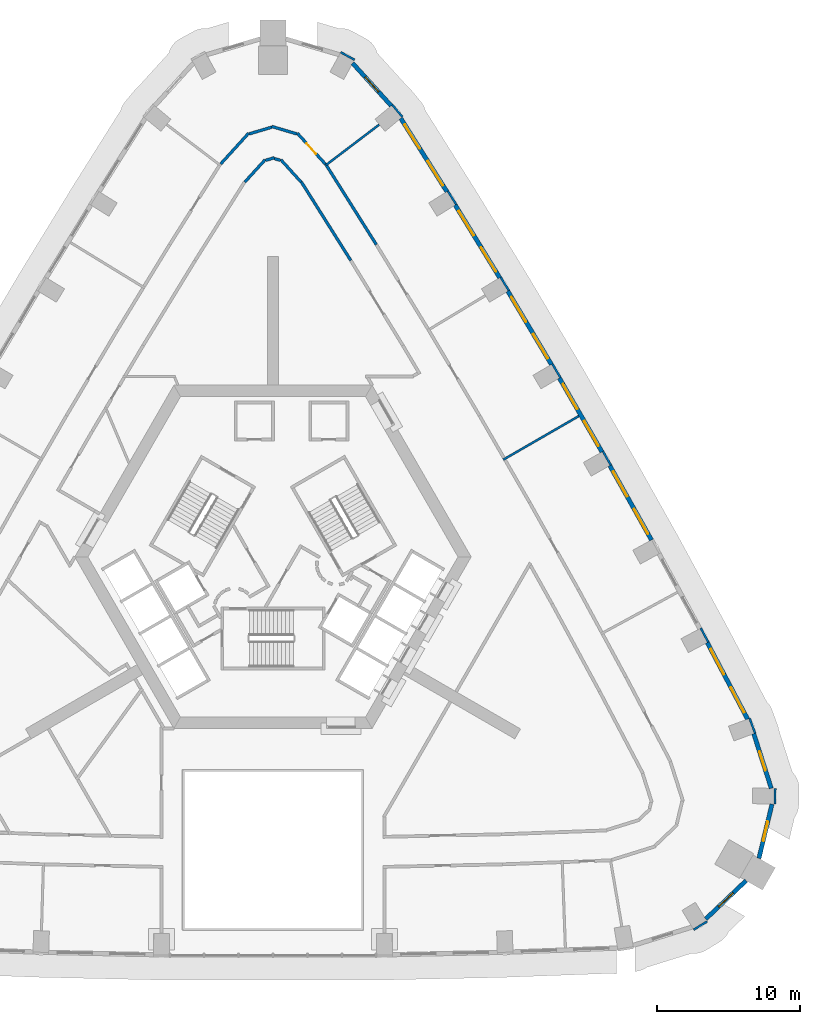
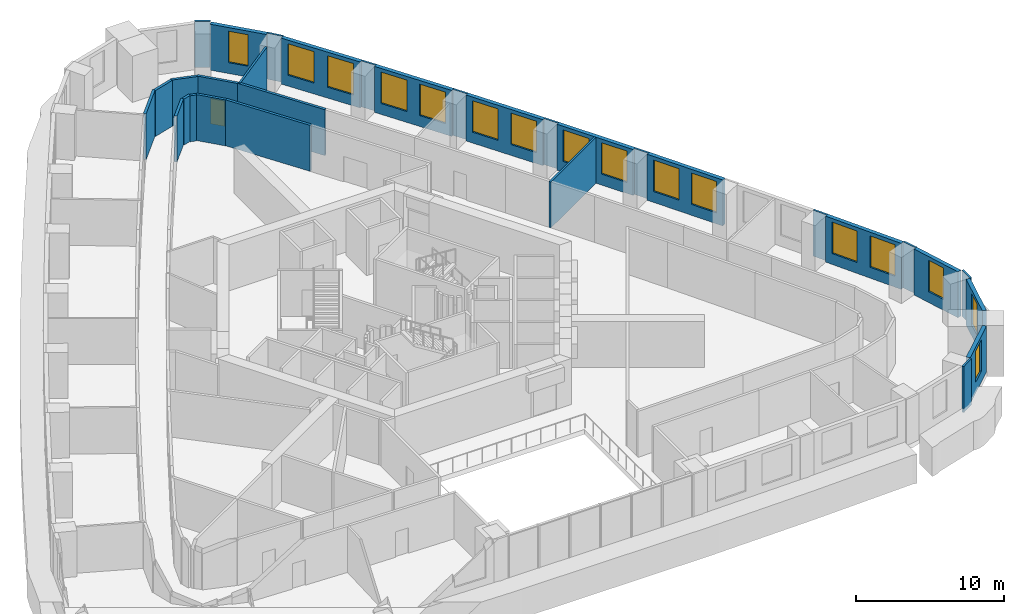
# One storey, part 10 of 17: 32 walls, 16 windows, 1 door, 17 openings.
"""IFC4 building model written with IfcOpenShell, lengths in metres."""

from ifc_helpers import new_model, si_unit, direction, frame, frame_2d, origin, place, context, subcontext, project, spatial, rectangle, extrude, material, layer, layer_set, type_object, element, fill, save


model = new_model("IFC4")

# Units and contexts
model_context = context("Model", 3, precision=1e-05, world=origin(), true_north=direction((0.0, 1.0)))
body_context = subcontext(model_context, "Body", "Model", "MODEL_VIEW")
ifc_project = project(units=[si_unit("LENGTHUNIT", "METRE"), si_unit("AREAUNIT", "SQUARE_METRE"), si_unit("VOLUMEUNIT", "CUBIC_METRE"), si_unit("PLANEANGLEUNIT", "RADIAN"), si_unit("MASSUNIT", "GRAM", prefix="KILO")], contexts=[model_context])

# Site, building, storey
site_placement = place(None, origin())
site = spatial("IfcSite", under=ifc_project, at=site_placement, CompositionType="ELEMENT")
building_placement = place(site_placement, origin())
building = spatial("IfcBuilding", under=site, at=building_placement, Name="Entoto Arch Interchange Tower", CompositionType="ELEMENT")
storey_placement = place(building_placement, frame((0.0, 0.0, 167.60009765625)))
storey = spatial("IfcBuildingStorey", under=building, at=storey_placement, Name="L37", CompositionType="ELEMENT", Elevation=167.60009765625)

# Walls
ifc_material_1 = material(Name="Gypsum board partition on steel studs", Category="steel")
ifc_layer_1 = layer(ifc_material_1, 0.14990234375)
ifc_layer_set_1 = layer_set([ifc_layer_1], Name="Gypsum board partition on steel studs")
wall_type_1 = type_object("IfcWallType", Name="PARTITION 150", PredefinedType="PARTITIONING", material=ifc_layer_set_1)
wall_1_placement = place(storey_placement, frame((16.097900390625, 9.294921875, 0.0), z_axis=(0.0, 0.0, 1.0), x_axis=(0.866109615698, 0.499854112313, 0.0)))
element("IfcWall", 1, at=wall_1_placement, inside=storey, type_object=wall_type_1, Name="wall:L37:p137", PredefinedType="PARTITIONING", context=body_context, shape_type="SweptSolid", body=[
    extrude(rectangle(XDim=6.099853515625, YDim=0.14990234375, at=frame_2d((3.0498046875, 0.0))), origin(), (0.0, 0.0, 1.0), 3.7998046875),
])
wall_2_placement = place(storey_placement, frame((3.716064453125, 29.89892578125, 0.0), z_axis=(0.0, 0.0, 1.0), x_axis=(0.796435085709, 0.604724031481, 0.0)))
element("IfcWall", 2, at=wall_2_placement, inside=storey, type_object=wall_type_1, Name="wall:L37:p139", PredefinedType="PARTITIONING", context=body_context, shape_type="SweptSolid", body=[
    extrude(rectangle(XDim=4.6533203125, YDim=0.14990234375, at=frame_2d((2.32666015625, 0.0))), origin(), (0.0, 0.0, 1.0), 3.7998046875),
])
ifc_layer_2 = layer(ifc_material_1, 0.199951171875)
ifc_layer_set_2 = layer_set([ifc_layer_2], Name="Gypsum board partition on steel studs")
wall_type_2 = type_object("IfcWallType", Name="PARTITION 200", PredefinedType="PARTITIONING", material=ifc_layer_set_2)
wall_3_placement = place(storey_placement, frame((5.44091796875, 23.218017578125, 0.0), z_axis=(0.0, 0.0, 1.0), x_axis=(-0.532786324951, 0.846249804694, 0.0)))
element("IfcWall", 3, at=wall_3_placement, inside=storey, type_object=wall_type_2, Name="wall:L37:p010", PredefinedType="PARTITIONING", context=body_context, shape_type="SweptSolid", body=[
    extrude(rectangle(XDim=6.488525390625, YDim=0.199951171875, at=frame_2d((3.244140625, 0.0))), origin(), (0.0, 0.0, 1.0), 3.7998046875),
])
wall_4_placement = place(storey_placement, frame((1.969970703125, 28.697998046875, 0.0), z_axis=(0.0, 0.0, 1.0), x_axis=(-0.671753081184, 0.740775133168, 0.0)))
element("IfcWall", 4, at=wall_4_placement, inside=storey, type_object=wall_type_2, Name="wall:L37:p011", PredefinedType="PARTITIONING", context=body_context, shape_type="SweptSolid", body=[
    extrude(rectangle(XDim=2.115234375, YDim=0.199951171875, at=frame_2d((1.0576171875, 0.0))), origin(), (0.0, 0.0, 1.0), 3.7998046875),
])
wall_5_placement = place(storey_placement, frame((0.52001953125, 30.218994140625, 0.0), z_axis=(0.0, 0.0, 1.0), x_axis=(-0.959198261843, 0.282734317826, 0.0)))
element("IfcWall", 5, at=wall_5_placement, inside=storey, type_object=wall_type_2, Name="wall:L37:p012", PredefinedType="PARTITIONING", context=body_context, shape_type="SweptSolid", body=[
    extrude(rectangle(XDim=0.442138671875, YDim=0.199951171875, at=frame_2d((0.22119140625, 0.0))), origin(), (0.0, 0.0, 1.0), 3.7998046875),
])
wall_6_placement = place(storey_placement, frame((0.095947265625, 30.40087890625, 0.0), z_axis=(0.0, 0.0, 1.0), x_axis=(-0.959062300239, -0.283195169908, 0.0)))
element("IfcWall", 6, at=wall_6_placement, inside=storey, type_object=wall_type_2, Name="wall:L37:p013", PredefinedType="PARTITIONING", context=body_context, shape_type="SweptSolid", body=[
    extrude(rectangle(XDim=0.642333984375, YDim=0.199951171875, at=frame_2d((0.3212890625, 0.0))), origin(), (0.0, 0.0, 1.0), 3.7998046875),
])
wall_7_placement = place(storey_placement, frame((-0.549072265625, 30.264892578125, 0.0), z_axis=(0.0, 0.0, 1.0), x_axis=(-0.671753081184, -0.740775133168, 0.0)))
element("IfcWall", 7, at=wall_7_placement, inside=storey, type_object=wall_type_2, Name="wall:L37:p014", PredefinedType="PARTITIONING", context=body_context, shape_type="SweptSolid", body=[
    extrude(rectangle(XDim=2.115234375, YDim=0.199951171875, at=frame_2d((1.0576171875, 0.0))), origin(), (0.0, 0.0, 1.0), 3.7998046875),
])
wall_8_placement = place(storey_placement, frame((3.6630859375, 29.98388671875, 0.0), z_axis=(0.0, 0.0, 1.0), x_axis=(0.532874279134, -0.846194423662, 0.0)))
element("IfcWall", 8, at=wall_8_placement, inside=storey, type_object=wall_type_2, Name="wall:L37:p057", PredefinedType="PARTITIONING", context=body_context, shape_type="SweptSolid", body=[
    extrude(rectangle(XDim=6.686279296875, YDim=0.199951171875, at=frame_2d((3.34326171875, 0.0))), origin(), (0.0, 0.0, 1.0), 3.7998046875),
])
wall_9_placement = place(storey_placement, frame((-1.678955078125, 32.06591796875, 0.0), z_axis=(0.0, 0.0, 1.0), x_axis=(0.958966543129, 0.283519257122, 0.0)))
element("IfcWall", 9, at=wall_9_placement, inside=storey, type_object=wall_type_2, Name="wall:L37:p059", PredefinedType="PARTITIONING", context=body_context, shape_type="SweptSolid", body=[
    extrude(rectangle(XDim=1.650634765625, YDim=0.199951171875, at=frame_2d((0.8251953125, 0.0))), origin(), (0.0, 0.0, 1.0), 3.7998046875),
])
wall_10_placement = place(storey_placement, frame((-0.095947265625, 32.590087890625, 0.0), z_axis=(0.0, 0.0, 1.0), x_axis=(0.959051918564, -0.283230325881, 0.0)))
element("IfcWall", 10, at=wall_10_placement, inside=storey, type_object=wall_type_2, Name="wall:L37:p060", PredefinedType="PARTITIONING", context=body_context, shape_type="SweptSolid", body=[
    extrude(rectangle(XDim=1.8505859375, YDim=0.199951171875, at=frame_2d((0.92529296875, 0.0))), origin(), (0.0, 0.0, 1.0), 3.7998046875),
])

# Wall, opening, door
wall_11_placement = place(storey_placement, frame((1.7080078125, 32.112060546875, 0.0), z_axis=(0.0, 0.0, 1.0), x_axis=(0.671957285765, -0.740589904135, 0.0)))
wall_11 = element("IfcWall", 11, at=wall_11_placement, inside=storey, type_object=wall_type_2, Name="wall:L37:p061", PredefinedType="PARTITIONING", context=body_context, shape_type="SweptSolid", body=[
    extrude(rectangle(XDim=2.888427734375, YDim=0.199951171875, at=frame_2d((1.4443359375, 0.0))), origin(), (0.0, 0.0, 1.0), 3.7998046875),
])
opening_1_placement = place(wall_11_placement, frame((0.944091796875, 0.0, 0.0)))
opening_1 = element("IfcOpeningElement", 12, at=opening_1_placement, cuts=wall_11, Name="Opening L37-D07", PredefinedType="OPENING", context=body_context, shape_type="SweptSolid", body=[
    extrude(rectangle(XDim=1.0, YDim=2.10009765625, at=frame_2d((0.5, 1.050048828125))), frame((0.0, 0.10986328125, 0.0), z_axis=(0.0, -1.0, 0.0), x_axis=(1.0, 0.0, 0.0)), (0.0, 0.0, 1.0), 0.219970703125),
])
ifc_material_2 = material(Name="Timber door leaf in Steel S235 frame", Category="steel")
door_type = type_object("IfcDoorType", Name="DOOR DS-10 1000x2100", OperationType="SINGLE_SWING_LEFT", PredefinedType="DOOR", material=ifc_material_2)
door_placement = place(opening_1_placement, origin())
door = element("IfcDoor", 13, at=door_placement, inside=storey, type_object=door_type, Name="door:L37:07", OperationType="SINGLE_SWING_LEFT", OverallHeight=2.10009765625, OverallWidth=1.0, PredefinedType="DOOR", context=body_context, shape_type="SweptSolid", body=[
    extrude(rectangle(XDim=1.0, YDim=2.10009765625, at=frame_2d((0.5, 1.050048828125))), frame((0.0, 0.02490234375, 0.0), z_axis=(0.0, -1.0, 0.0), x_axis=(1.0, 0.0, 0.0)), (0.0, 0.0, 1.0), 0.050048828125),
])
fill(opening_1, door)

# Wall
wall_12_placement = place(storey_placement, frame((-3.64892578125, 29.972900390625, 0.0), z_axis=(0.0, 0.0, 1.0), x_axis=(0.671957285765, 0.740589904135, 0.0)))
element("IfcWall", 14, at=wall_12_placement, inside=storey, type_object=wall_type_2, Name="wall:L37:p062", PredefinedType="PARTITIONING", context=body_context, shape_type="SweptSolid", body=[
    extrude(rectangle(XDim=2.888427734375, YDim=0.199951171875, at=frame_2d((1.4443359375, 0.0))), origin(), (0.0, 0.0, 1.0), 3.7998046875),
])

# Wall, opening, window
ifc_material_3 = material(Name="Welded tuff (ignimbrite) cladding, warm buff", Category="masonry")
ifc_layer_3 = layer(ifc_material_3, 0.300048828125)
ifc_layer_set_3 = layer_set([ifc_layer_3], Name="Welded tuff (ignimbrite) cladding, warm buff")
wall_type_3 = type_object("IfcWallType", Name="STONE INFILL WALL 300", PredefinedType="STANDARD", material=ifc_layer_set_3)
wall_13_placement = place(storey_placement, frame((30.24609375, -22.821044921875, 0.0), z_axis=(0.0, 0.0, 1.0), x_axis=(0.724807239831, 0.688951714628, 0.0)))
wall_13 = element("IfcWall", 15, at=wall_13_placement, inside=storey, type_object=wall_type_3, Name="Facade wall SE-02 L37", PredefinedType="STANDARD", context=body_context, shape_type="SweptSolid", body=[
    extrude(rectangle(XDim=3.901611328125, YDim=0.300048828125, at=frame_2d((1.95068359375, 0.0))), origin(), (0.0, 0.0, 1.0), 3.7998046875),
])
opening_2_placement = place(wall_13_placement, frame((1.2509765625, 0.0, 0.89990234375)))
opening_2 = element("IfcOpeningElement", 16, at=opening_2_placement, cuts=wall_13, Name="Opening WO-B", PredefinedType="OPENING", context=body_context, shape_type="SweptSolid", body=[
    extrude(rectangle(XDim=1.39990234375, YDim=2.60009765625, at=frame_2d((0.699951171875, 1.300048828125))), frame((0.0, 0.16015625, 0.0), z_axis=(0.0, -1.0, 0.0), x_axis=(1.0, 0.0, 0.0)), (0.0, 0.0, 1.0), 0.320068359375),
])
ifc_material_4 = material(Name="Clear glass, low-e double glazed", Category="glass")
window_type_1 = type_object("IfcWindowType", Name="WINDOW WO-B 1400x2600", PartitioningType="DOUBLE_PANEL_VERTICAL", PredefinedType="WINDOW", material=ifc_material_4)
window_1_placement = place(opening_2_placement, origin())
window_1 = element("IfcWindow", 17, at=window_1_placement, inside=storey, type_object=window_type_1, Name="Window WO-B SE-02 L37", OverallHeight=2.60009765625, OverallWidth=1.39990234375, PartitioningType="SINGLE_PANEL", PredefinedType="WINDOW", context=body_context, shape_type="SweptSolid", body=[
    extrude(rectangle(XDim=1.39990234375, YDim=2.60009765625, at=frame_2d((0.699951171875, 1.300048828125))), frame((0.0, 0.030029296875, 0.0), z_axis=(0.0, -1.0, 0.0), x_axis=(1.0, 0.0, 0.0)), (0.0, 0.0, 1.0), 0.06005859375),
])
fill(opening_2, window_1)

wall_14_placement = place(storey_placement, frame((33.972900390625, -18.574951171875, 0.0), z_axis=(0.0, 0.0, 1.0), x_axis=(0.234102046927, 0.972212030179, 0.0)))
wall_14 = element("IfcWall", 18, at=wall_14_placement, inside=storey, type_object=wall_type_3, Name="Facade wall SE-03 L37", PredefinedType="STANDARD", context=body_context, shape_type="SweptSolid", body=[
    extrude(rectangle(XDim=3.900390625, YDim=0.300048828125, at=frame_2d((1.9501953125, 0.0))), origin(), (0.0, 0.0, 1.0), 3.7998046875),
])
opening_3_placement = place(wall_14_placement, frame((1.25, 0.0, 0.89990234375)))
opening_3 = element("IfcOpeningElement", 19, at=opening_3_placement, cuts=wall_14, Name="Opening WO-B", PredefinedType="OPENING", context=body_context, shape_type="SweptSolid", body=[
    extrude(rectangle(XDim=1.39990234375, YDim=2.60009765625, at=frame_2d((0.699951171875, 1.300048828125))), frame((0.0, 0.16015625, 0.0), z_axis=(0.0, -1.0, 0.0), x_axis=(1.0, 0.0, 0.0)), (0.0, 0.0, 1.0), 0.320068359375),
])
window_2_placement = place(opening_3_placement, origin())
window_2 = element("IfcWindow", 20, at=window_2_placement, inside=storey, type_object=window_type_1, Name="Window WO-B SE-03 L37", OverallHeight=2.60009765625, OverallWidth=1.39990234375, PartitioningType="SINGLE_PANEL", PredefinedType="WINDOW", context=body_context, shape_type="SweptSolid", body=[
    extrude(rectangle(XDim=1.39990234375, YDim=2.60009765625, at=frame_2d((0.699951171875, 1.300048828125))), frame((0.0, 0.030029296875, 0.0), z_axis=(0.0, -1.0, 0.0), x_axis=(1.0, 0.0, 0.0)), (0.0, 0.0, 1.0), 0.06005859375),
])
fill(opening_3, window_2)

wall_15_placement = place(storey_placement, frame((34.8349609375, -13.68408203125, 0.0), z_axis=(0.0, 0.0, 1.0), x_axis=(-0.305018133869, 0.952346543025, 0.0)))
wall_15 = element("IfcWall", 21, at=wall_15_placement, inside=storey, type_object=wall_type_3, Name="Facade wall SE-04 L37", PredefinedType="STANDARD", context=body_context, shape_type="SweptSolid", body=[
    extrude(rectangle(XDim=4.019775390625, YDim=0.300048828125, at=frame_2d((2.009765625, 0.0))), origin(), (0.0, 0.0, 1.0), 3.7998046875),
])
opening_4_placement = place(wall_15_placement, frame((1.31005859375, 0.0, 0.89990234375)))
opening_4 = element("IfcOpeningElement", 22, at=opening_4_placement, cuts=wall_15, Name="Opening WO-B", PredefinedType="OPENING", context=body_context, shape_type="SweptSolid", body=[
    extrude(rectangle(XDim=1.39990234375, YDim=2.60009765625, at=frame_2d((0.699951171875, 1.300048828125))), frame((0.0, 0.16015625, 0.0), z_axis=(0.0, -1.0, 0.0), x_axis=(1.0, 0.0, 0.0)), (0.0, 0.0, 1.0), 0.320068359375),
])
window_3_placement = place(opening_4_placement, origin())
window_3 = element("IfcWindow", 23, at=window_3_placement, inside=storey, type_object=window_type_1, Name="Window WO-B SE-04 L37", OverallHeight=2.60009765625, OverallWidth=1.39990234375, PartitioningType="SINGLE_PANEL", PredefinedType="WINDOW", context=body_context, shape_type="SweptSolid", body=[
    extrude(rectangle(XDim=1.39990234375, YDim=2.60009765625, at=frame_2d((0.699951171875, 1.300048828125))), frame((0.0, 0.030029296875, 0.0), z_axis=(0.0, -1.0, 0.0), x_axis=(1.0, 0.0, 0.0)), (0.0, 0.0, 1.0), 0.06005859375),
])
fill(opening_4, window_3)

# Wall, openings, windows
wall_16_placement = place(storey_placement, frame((33.181884765625, -8.843994140625, 0.0), z_axis=(0.0, 0.0, 1.0), x_axis=(-0.466399410196, 0.884574242316, 0.0)))
wall_16 = element("IfcWall", 24, at=wall_16_placement, inside=storey, type_object=wall_type_3, Name="Facade wall NE-01 L37", PredefinedType="STANDARD", context=body_context, shape_type="SweptSolid", body=[
    extrude(rectangle(XDim=6.054931640625, YDim=0.300048828125, at=frame_2d((3.02734375, 0.0))), origin(), (0.0, 0.0, 1.0), 3.7998046875),
])
opening_5_placement = place(wall_16_placement, frame((0.513916015625, 0.0, 0.89990234375)))
opening_5 = element("IfcOpeningElement", 25, at=opening_5_placement, cuts=wall_16, Name="Opening WO-C", PredefinedType="OPENING", context=body_context, shape_type="SweptSolid", body=[
    extrude(rectangle(XDim=2.0, YDim=2.60009765625, at=frame_2d((1.0, 1.300048828125))), frame((0.0, 0.16015625, 0.0), z_axis=(0.0, -1.0, 0.0), x_axis=(1.0, 0.0, 0.0)), (0.0, 0.0, 1.0), 0.320068359375),
])
opening_6_placement = place(wall_16_placement, frame((3.541015625, 0.0, 0.89990234375)))
opening_6 = element("IfcOpeningElement", 26, at=opening_6_placement, cuts=wall_16, Name="Opening WO-C", PredefinedType="OPENING", context=body_context, shape_type="SweptSolid", body=[
    extrude(rectangle(XDim=2.0, YDim=2.60009765625, at=frame_2d((1.0, 1.300048828125))), frame((0.0, 0.16015625, 0.0), z_axis=(0.0, -1.0, 0.0), x_axis=(1.0, 0.0, 0.0)), (0.0, 0.0, 1.0), 0.320068359375),
])
window_type_2 = type_object("IfcWindowType", Name="WINDOW WO-C 2000x2600", PartitioningType="DOUBLE_PANEL_VERTICAL", PredefinedType="WINDOW", material=ifc_material_4)
window_4_placement = place(opening_5_placement, origin())
window_4 = element("IfcWindow", 27, at=window_4_placement, inside=storey, type_object=window_type_2, Name="Window WO-C NE-01 L37", OverallHeight=2.60009765625, OverallWidth=2.0, PartitioningType="SINGLE_PANEL", PredefinedType="WINDOW", context=body_context, shape_type="SweptSolid", body=[
    extrude(rectangle(XDim=2.0, YDim=2.60009765625, at=frame_2d((1.0, 1.300048828125))), frame((0.0, 0.030029296875, 0.0), z_axis=(0.0, -1.0, 0.0), x_axis=(1.0, 0.0, 0.0)), (0.0, 0.0, 1.0), 0.06005859375),
])
fill(opening_5, window_4)
window_5_placement = place(opening_6_placement, origin())
window_5 = element("IfcWindow", 28, at=window_5_placement, inside=storey, type_object=window_type_2, Name="Window WO-C NE-01 L37", OverallHeight=2.60009765625, OverallWidth=2.0, PartitioningType="SINGLE_PANEL", PredefinedType="WINDOW", context=body_context, shape_type="SweptSolid", body=[
    extrude(rectangle(XDim=2.0, YDim=2.60009765625, at=frame_2d((1.0, 1.300048828125))), frame((0.0, 0.030029296875, 0.0), z_axis=(0.0, -1.0, 0.0), x_axis=(1.0, 0.0, 0.0)), (0.0, 0.0, 1.0), 0.06005859375),
])
fill(opening_6, window_5)

wall_17_placement = place(storey_placement, frame((26.4599609375, 3.681884765625, 0.0), z_axis=(0.0, 0.0, 1.0), x_axis=(-0.489032196971, 0.87226573378, 0.0)))
wall_17 = element("IfcWall", 29, at=wall_17_placement, inside=storey, type_object=wall_type_3, Name="Facade wall NE-03 L37", PredefinedType="STANDARD", context=body_context, shape_type="SweptSolid", body=[
    extrude(rectangle(XDim=5.962890625, YDim=0.300048828125, at=frame_2d((2.9814453125, 0.0))), origin(), (0.0, 0.0, 1.0), 3.7998046875),
])
opening_7_placement = place(wall_17_placement, frame((0.490966796875, 0.0, 0.89990234375)))
opening_7 = element("IfcOpeningElement", 30, at=opening_7_placement, cuts=wall_17, Name="Opening WO-C", PredefinedType="OPENING", context=body_context, shape_type="SweptSolid", body=[
    extrude(rectangle(XDim=2.0, YDim=2.60009765625, at=frame_2d((1.0, 1.300048828125))), frame((0.0, 0.16015625, 0.0), z_axis=(0.0, -1.0, 0.0), x_axis=(1.0, 0.0, 0.0)), (0.0, 0.0, 1.0), 0.320068359375),
])
opening_8_placement = place(wall_17_placement, frame((3.471923828125, 0.0, 0.89990234375)))
opening_8 = element("IfcOpeningElement", 31, at=opening_8_placement, cuts=wall_17, Name="Opening WO-C", PredefinedType="OPENING", context=body_context, shape_type="SweptSolid", body=[
    extrude(rectangle(XDim=2.0, YDim=2.60009765625, at=frame_2d((1.0, 1.300048828125))), frame((0.0, 0.16015625, 0.0), z_axis=(0.0, -1.0, 0.0), x_axis=(1.0, 0.0, 0.0)), (0.0, 0.0, 1.0), 0.320068359375),
])
window_6_placement = place(opening_7_placement, origin())
window_6 = element("IfcWindow", 32, at=window_6_placement, inside=storey, type_object=window_type_2, Name="Window WO-C NE-03 L37", OverallHeight=2.60009765625, OverallWidth=2.0, PartitioningType="SINGLE_PANEL", PredefinedType="WINDOW", context=body_context, shape_type="SweptSolid", body=[
    extrude(rectangle(XDim=2.0, YDim=2.60009765625, at=frame_2d((1.0, 1.300048828125))), frame((0.0, 0.030029296875, 0.0), z_axis=(0.0, -1.0, 0.0), x_axis=(1.0, 0.0, 0.0)), (0.0, 0.0, 1.0), 0.06005859375),
])
fill(opening_7, window_6)
window_7_placement = place(opening_8_placement, origin())
window_7 = element("IfcWindow", 33, at=window_7_placement, inside=storey, type_object=window_type_2, Name="Window WO-C NE-03 L37", OverallHeight=2.60009765625, OverallWidth=2.0, PartitioningType="SINGLE_PANEL", PredefinedType="WINDOW", context=body_context, shape_type="SweptSolid", body=[
    extrude(rectangle(XDim=2.0, YDim=2.60009765625, at=frame_2d((1.0, 1.300048828125))), frame((0.0, 0.030029296875, 0.0), z_axis=(0.0, -1.0, 0.0), x_axis=(1.0, 0.0, 0.0)), (0.0, 0.0, 1.0), 0.06005859375),
])
fill(opening_8, window_7)

wall_18_placement = place(storey_placement, frame((23.0009765625, 9.8369140625, 0.0), z_axis=(0.0, 0.0, 1.0), x_axis=(-0.49986421087, 0.866103787482, 0.0)))
wall_18 = element("IfcWall", 34, at=wall_18_placement, inside=storey, type_object=wall_type_3, Name="Facade wall NE-04 L37", PredefinedType="STANDARD", context=body_context, shape_type="SweptSolid", body=[
    extrude(rectangle(XDim=5.963623046875, YDim=0.300048828125, at=frame_2d((2.98193359375, 0.0))), origin(), (0.0, 0.0, 1.0), 3.7998046875),
])
opening_9_placement = place(wall_18_placement, frame((0.490966796875, 0.0, 0.89990234375)))
opening_9 = element("IfcOpeningElement", 35, at=opening_9_placement, cuts=wall_18, Name="Opening WO-C", PredefinedType="OPENING", context=body_context, shape_type="SweptSolid", body=[
    extrude(rectangle(XDim=2.0, YDim=2.60009765625, at=frame_2d((1.0, 1.300048828125))), frame((0.0, 0.16015625, 0.0), z_axis=(0.0, -1.0, 0.0), x_axis=(1.0, 0.0, 0.0)), (0.0, 0.0, 1.0), 0.320068359375),
])
opening_10_placement = place(wall_18_placement, frame((3.472900390625, 0.0, 0.89990234375)))
opening_10 = element("IfcOpeningElement", 36, at=opening_10_placement, cuts=wall_18, Name="Opening WO-C", PredefinedType="OPENING", context=body_context, shape_type="SweptSolid", body=[
    extrude(rectangle(XDim=2.0, YDim=2.60009765625, at=frame_2d((1.0, 1.300048828125))), frame((0.0, 0.16015625, 0.0), z_axis=(0.0, -1.0, 0.0), x_axis=(1.0, 0.0, 0.0)), (0.0, 0.0, 1.0), 0.320068359375),
])
window_8_placement = place(opening_9_placement, origin())
window_8 = element("IfcWindow", 37, at=window_8_placement, inside=storey, type_object=window_type_2, Name="Window WO-C NE-04 L37", OverallHeight=2.60009765625, OverallWidth=2.0, PartitioningType="SINGLE_PANEL", PredefinedType="WINDOW", context=body_context, shape_type="SweptSolid", body=[
    extrude(rectangle(XDim=2.0, YDim=2.60009765625, at=frame_2d((1.0, 1.300048828125))), frame((0.0, 0.030029296875, 0.0), z_axis=(0.0, -1.0, 0.0), x_axis=(1.0, 0.0, 0.0)), (0.0, 0.0, 1.0), 0.06005859375),
])
fill(opening_9, window_8)
window_9_placement = place(opening_10_placement, origin())
window_9 = element("IfcWindow", 38, at=window_9_placement, inside=storey, type_object=window_type_2, Name="Window WO-C NE-04 L37", OverallHeight=2.60009765625, OverallWidth=2.0, PartitioningType="SINGLE_PANEL", PredefinedType="WINDOW", context=body_context, shape_type="SweptSolid", body=[
    extrude(rectangle(XDim=2.0, YDim=2.60009765625, at=frame_2d((1.0, 1.300048828125))), frame((0.0, 0.030029296875, 0.0), z_axis=(0.0, -1.0, 0.0), x_axis=(1.0, 0.0, 0.0)), (0.0, 0.0, 1.0), 0.06005859375),
])
fill(opening_10, window_9)

wall_19_placement = place(storey_placement, frame((19.465087890625, 15.948974609375, 0.0), z_axis=(0.0, 0.0, 1.0), x_axis=(-0.511053317394, 0.8595490136, 0.0)))
wall_19 = element("IfcWall", 39, at=wall_19_placement, inside=storey, type_object=wall_type_3, Name="Facade wall NE-05 L37", PredefinedType="STANDARD", context=body_context, shape_type="SweptSolid", body=[
    extrude(rectangle(XDim=5.96240234375, YDim=0.300048828125, at=frame_2d((2.981201171875, 0.0))), origin(), (0.0, 0.0, 1.0), 3.7998046875),
])
opening_11_placement = place(wall_19_placement, frame((0.490966796875, 0.0, 0.89990234375)))
opening_11 = element("IfcOpeningElement", 40, at=opening_11_placement, cuts=wall_19, Name="Opening WO-C", PredefinedType="OPENING", context=body_context, shape_type="SweptSolid", body=[
    extrude(rectangle(XDim=2.0, YDim=2.60009765625, at=frame_2d((1.0, 1.300048828125))), frame((0.0, 0.16015625, 0.0), z_axis=(0.0, -1.0, 0.0), x_axis=(1.0, 0.0, 0.0)), (0.0, 0.0, 1.0), 0.320068359375),
])
opening_12_placement = place(wall_19_placement, frame((3.471923828125, 0.0, 0.89990234375)))
opening_12 = element("IfcOpeningElement", 41, at=opening_12_placement, cuts=wall_19, Name="Opening WO-C", PredefinedType="OPENING", context=body_context, shape_type="SweptSolid", body=[
    extrude(rectangle(XDim=2.0, YDim=2.60009765625, at=frame_2d((1.0, 1.300048828125))), frame((0.0, 0.16015625, 0.0), z_axis=(0.0, -1.0, 0.0), x_axis=(1.0, 0.0, 0.0)), (0.0, 0.0, 1.0), 0.320068359375),
])
window_10_placement = place(opening_11_placement, origin())
window_10 = element("IfcWindow", 42, at=window_10_placement, inside=storey, type_object=window_type_2, Name="Window WO-C NE-05 L37", OverallHeight=2.60009765625, OverallWidth=2.0, PartitioningType="SINGLE_PANEL", PredefinedType="WINDOW", context=body_context, shape_type="SweptSolid", body=[
    extrude(rectangle(XDim=2.0, YDim=2.60009765625, at=frame_2d((1.0, 1.300048828125))), frame((0.0, 0.030029296875, 0.0), z_axis=(0.0, -1.0, 0.0), x_axis=(1.0, 0.0, 0.0)), (0.0, 0.0, 1.0), 0.06005859375),
])
fill(opening_11, window_10)
window_11_placement = place(opening_12_placement, origin())
window_11 = element("IfcWindow", 43, at=window_11_placement, inside=storey, type_object=window_type_2, Name="Window WO-C NE-05 L37", OverallHeight=2.60009765625, OverallWidth=2.0, PartitioningType="SINGLE_PANEL", PredefinedType="WINDOW", context=body_context, shape_type="SweptSolid", body=[
    extrude(rectangle(XDim=2.0, YDim=2.60009765625, at=frame_2d((1.0, 1.300048828125))), frame((0.0, 0.030029296875, 0.0), z_axis=(0.0, -1.0, 0.0), x_axis=(1.0, 0.0, 0.0)), (0.0, 0.0, 1.0), 0.06005859375),
])
fill(opening_12, window_11)

wall_20_placement = place(storey_placement, frame((15.85107421875, 22.014892578125, 0.0), z_axis=(0.0, 0.0, 1.0), x_axis=(-0.522156898008, 0.852849443842, 0.0)))
wall_20 = element("IfcWall", 44, at=wall_20_placement, inside=storey, type_object=wall_type_3, Name="Facade wall NE-06 L37", PredefinedType="STANDARD", context=body_context, shape_type="SweptSolid", body=[
    extrude(rectangle(XDim=5.9638671875, YDim=0.300048828125, at=frame_2d((2.98193359375, 0.0))), origin(), (0.0, 0.0, 1.0), 3.7998046875),
])
opening_13_placement = place(wall_20_placement, frame((0.490966796875, 0.0, 0.89990234375)))
opening_13 = element("IfcOpeningElement", 45, at=opening_13_placement, cuts=wall_20, Name="Opening WO-C", PredefinedType="OPENING", context=body_context, shape_type="SweptSolid", body=[
    extrude(rectangle(XDim=2.0, YDim=2.60009765625, at=frame_2d((1.0, 1.300048828125))), frame((0.0, 0.16015625, 0.0), z_axis=(0.0, -1.0, 0.0), x_axis=(1.0, 0.0, 0.0)), (0.0, 0.0, 1.0), 0.320068359375),
])
opening_14_placement = place(wall_20_placement, frame((3.472900390625, 0.0, 0.89990234375)))
opening_14 = element("IfcOpeningElement", 46, at=opening_14_placement, cuts=wall_20, Name="Opening WO-C", PredefinedType="OPENING", context=body_context, shape_type="SweptSolid", body=[
    extrude(rectangle(XDim=2.0, YDim=2.60009765625, at=frame_2d((1.0, 1.300048828125))), frame((0.0, 0.16015625, 0.0), z_axis=(0.0, -1.0, 0.0), x_axis=(1.0, 0.0, 0.0)), (0.0, 0.0, 1.0), 0.320068359375),
])
window_12_placement = place(opening_13_placement, origin())
window_12 = element("IfcWindow", 47, at=window_12_placement, inside=storey, type_object=window_type_2, Name="Window WO-C NE-06 L37", OverallHeight=2.60009765625, OverallWidth=2.0, PartitioningType="SINGLE_PANEL", PredefinedType="WINDOW", context=body_context, shape_type="SweptSolid", body=[
    extrude(rectangle(XDim=2.0, YDim=2.60009765625, at=frame_2d((1.0, 1.300048828125))), frame((0.0, 0.030029296875, 0.0), z_axis=(0.0, -1.0, 0.0), x_axis=(1.0, 0.0, 0.0)), (0.0, 0.0, 1.0), 0.06005859375),
])
fill(opening_13, window_12)
window_13_placement = place(opening_14_placement, origin())
window_13 = element("IfcWindow", 48, at=window_13_placement, inside=storey, type_object=window_type_2, Name="Window WO-C NE-06 L37", OverallHeight=2.60009765625, OverallWidth=2.0, PartitioningType="SINGLE_PANEL", PredefinedType="WINDOW", context=body_context, shape_type="SweptSolid", body=[
    extrude(rectangle(XDim=2.0, YDim=2.60009765625, at=frame_2d((1.0, 1.300048828125))), frame((0.0, 0.030029296875, 0.0), z_axis=(0.0, -1.0, 0.0), x_axis=(1.0, 0.0, 0.0)), (0.0, 0.0, 1.0), 0.06005859375),
])
fill(opening_14, window_13)

wall_21_placement = place(storey_placement, frame((12.157958984375, 28.033935546875, 0.0), z_axis=(0.0, 0.0, 1.0), x_axis=(-0.532721310512, 0.846290733334, 0.0)))
wall_21 = element("IfcWall", 49, at=wall_21_placement, inside=storey, type_object=wall_type_3, Name="Facade wall NE-07 L37", PredefinedType="STANDARD", context=body_context, shape_type="SweptSolid", body=[
    extrude(rectangle(XDim=6.055908203125, YDim=0.300048828125, at=frame_2d((3.02783203125, 0.0))), origin(), (0.0, 0.0, 1.0), 3.7998046875),
])
opening_15_placement = place(wall_21_placement, frame((0.513916015625, 0.0, 0.89990234375)))
opening_15 = element("IfcOpeningElement", 50, at=opening_15_placement, cuts=wall_21, Name="Opening WO-C", PredefinedType="OPENING", context=body_context, shape_type="SweptSolid", body=[
    extrude(rectangle(XDim=2.0, YDim=2.60009765625, at=frame_2d((1.0, 1.300048828125))), frame((0.0, 0.16015625, 0.0), z_axis=(0.0, -1.0, 0.0), x_axis=(1.0, 0.0, 0.0)), (0.0, 0.0, 1.0), 0.320068359375),
])
opening_16_placement = place(wall_21_placement, frame((3.5419921875, 0.0, 0.89990234375)))
opening_16 = element("IfcOpeningElement", 51, at=opening_16_placement, cuts=wall_21, Name="Opening WO-C", PredefinedType="OPENING", context=body_context, shape_type="SweptSolid", body=[
    extrude(rectangle(XDim=2.0, YDim=2.60009765625, at=frame_2d((1.0, 1.300048828125))), frame((0.0, 0.16015625, 0.0), z_axis=(0.0, -1.0, 0.0), x_axis=(1.0, 0.0, 0.0)), (0.0, 0.0, 1.0), 0.320068359375),
])
window_14_placement = place(opening_15_placement, origin())
window_14 = element("IfcWindow", 52, at=window_14_placement, inside=storey, type_object=window_type_2, Name="Window WO-C NE-07 L37", OverallHeight=2.60009765625, OverallWidth=2.0, PartitioningType="SINGLE_PANEL", PredefinedType="WINDOW", context=body_context, shape_type="SweptSolid", body=[
    extrude(rectangle(XDim=2.0, YDim=2.60009765625, at=frame_2d((1.0, 1.300048828125))), frame((0.0, 0.030029296875, 0.0), z_axis=(0.0, -1.0, 0.0), x_axis=(1.0, 0.0, 0.0)), (0.0, 0.0, 1.0), 0.06005859375),
])
fill(opening_15, window_14)
window_15_placement = place(opening_16_placement, origin())
window_15 = element("IfcWindow", 53, at=window_15_placement, inside=storey, type_object=window_type_2, Name="Window WO-C NE-07 L37", OverallHeight=2.60009765625, OverallWidth=2.0, PartitioningType="SINGLE_PANEL", PredefinedType="WINDOW", context=body_context, shape_type="SweptSolid", body=[
    extrude(rectangle(XDim=2.0, YDim=2.60009765625, at=frame_2d((1.0, 1.300048828125))), frame((0.0, 0.030029296875, 0.0), z_axis=(0.0, -1.0, 0.0), x_axis=(1.0, 0.0, 0.0)), (0.0, 0.0, 1.0), 0.06005859375),
])
fill(opening_16, window_15)

# Wall, opening, window
wall_22_placement = place(storey_placement, frame((8.26806640625, 34.034912109375, 0.0), z_axis=(0.0, 0.0, 1.0), x_axis=(-0.672034341329, 0.740519982225, 0.0)))
wall_22 = element("IfcWall", 54, at=wall_22_placement, inside=storey, type_object=wall_type_3, Name="Facade wall N-01 L37", PredefinedType="STANDARD", context=body_context, shape_type="SweptSolid", body=[
    extrude(rectangle(XDim=4.017578125, YDim=0.300048828125, at=frame_2d((2.0087890625, 0.0))), origin(), (0.0, 0.0, 1.0), 3.7998046875),
])
opening_17_placement = place(wall_22_placement, frame((1.30908203125, 0.0, 0.89990234375)))
opening_17 = element("IfcOpeningElement", 55, at=opening_17_placement, cuts=wall_22, Name="Opening WO-B", PredefinedType="OPENING", context=body_context, shape_type="SweptSolid", body=[
    extrude(rectangle(XDim=1.39990234375, YDim=2.60009765625, at=frame_2d((0.699951171875, 1.300048828125))), frame((0.0, 0.16015625, 0.0), z_axis=(0.0, -1.0, 0.0), x_axis=(1.0, 0.0, 0.0)), (0.0, 0.0, 1.0), 0.320068359375),
])
window_16_placement = place(opening_17_placement, origin())
window_16 = element("IfcWindow", 56, at=window_16_placement, inside=storey, type_object=window_type_1, Name="Window WO-B N-01 L37", OverallHeight=2.60009765625, OverallWidth=1.39990234375, PartitioningType="SINGLE_PANEL", PredefinedType="WINDOW", context=body_context, shape_type="SweptSolid", body=[
    extrude(rectangle(XDim=1.39990234375, YDim=2.60009765625, at=frame_2d((0.699951171875, 1.300048828125))), frame((0.0, 0.030029296875, 0.0), z_axis=(0.0, -1.0, 0.0), x_axis=(1.0, 0.0, 0.0)), (0.0, 0.0, 1.0), 0.06005859375),
])
fill(opening_17, window_16)

# Walls
ifc_layer_4 = layer(ifc_material_3, 0.14990234375)
ifc_layer_set_4 = layer_set([ifc_layer_4], Name="Welded tuff (ignimbrite) cladding, warm buff")
wall_type_4 = type_object("IfcWallType", Name="STONE PIER CLADDING 150", PredefinedType="STANDARD", material=ifc_layer_set_4)
wall_23_placement = place(storey_placement, frame((5.699951171875, 37.2509765625, 0.0), z_axis=(0.0, 0.0, 1.0), x_axis=(-0.877836219403, 0.478960929414, 0.0)))
element("IfcWall", 57, at=wall_23_placement, inside=storey, type_object=wall_type_4, Name="Stone pier N1 L37", PredefinedType="STANDARD", context=body_context, shape_type="SweptSolid", body=[
    extrude(rectangle(XDim=1.1005859375, YDim=0.14990234375, at=frame_2d((0.55029296875, 0.0))), origin(), (0.0, 0.0, 1.0), 3.7998046875),
])
for number, where, z_axis, x_axis, name in (
    (58, (33.701904296875, -9.822998046875, 0.0), (0.0, 0.0, 1.0), (-0.346229846278, 0.938149718087, 0.0), "Stone pier NE01 L37"),
    (59, (30.426025390625, -3.452880859375, 0.0), (0.0, 0.0, 1.0), (-0.470058271093, 0.88263538439, 0.0), "Stone pier NE02 L37"),
):
    element("IfcWall", number, at=place(storey_placement, frame(where, z_axis=z_axis, x_axis=x_axis)), inside=storey, type_object=wall_type_4, Name=name, PredefinedType="STANDARD", context=body_context, shape_type="SweptSolid", body=[
        extrude(rectangle(XDim=1.10009765625, YDim=0.14990234375, at=frame_2d((0.550048828125, 0.0))), origin(), (0.0, 0.0, 1.0), 3.7998046875),
    ])
wall_24_placement = place(storey_placement, frame((23.613037109375, 8.9208984375, 0.0), z_axis=(0.0, 0.0, 1.0), x_axis=(-0.494512685492, 0.869170411305, 0.0)))
element("IfcWall", 60, at=wall_24_placement, inside=storey, type_object=wall_type_4, Name="Stone pier NE04 L37", PredefinedType="STANDARD", context=body_context, shape_type="SweptSolid", body=[
    extrude(rectangle(XDim=1.099853515625, YDim=0.14990234375, at=frame_2d((0.5498046875, 0.0))), origin(), (0.0, 0.0, 1.0), 3.7998046875),
])
wall_25_placement = place(storey_placement, frame((20.089111328125, 15.041015625, 0.0), z_axis=(0.0, 0.0, 1.0), x_axis=(-0.50667077411, 0.862139621327, 0.0)))
element("IfcWall", 61, at=wall_25_placement, inside=storey, type_object=wall_type_4, Name="Stone pier NE05 L37", PredefinedType="STANDARD", context=body_context, shape_type="SweptSolid", body=[
    extrude(rectangle(XDim=1.099609375, YDim=0.14990234375, at=frame_2d((0.5498046875, 0.0))), origin(), (0.0, 0.0, 1.0), 3.7998046875),
])
for number, where, z_axis, x_axis, name in (
    (62, (16.487060546875, 21.114990234375, 0.0), (0.0, 0.0, 1.0), (-0.518178754102, 0.855272341888, 0.0), "Stone pier NE06 L37"),
    (63, (12.805908203125, 27.14306640625, 0.0), (0.0, 0.0, 1.0), (-0.52997899071, 0.848010771987, 0.0), "Stone pier NE07 L37"),
    (64, (9.047119140625, 33.2529296875, 0.0), (0.0, 0.0, 1.0), (-0.639092407347, 0.769129959676, 0.0), "Stone pier NE08 L37"),
):
    element("IfcWall", number, at=place(storey_placement, frame(where, z_axis=z_axis, x_axis=x_axis)), inside=storey, type_object=wall_type_4, Name=name, PredefinedType="STANDARD", context=body_context, shape_type="SweptSolid", body=[
        extrude(rectangle(XDim=1.10009765625, YDim=0.14990234375, at=frame_2d((0.550048828125, 0.0))), origin(), (0.0, 0.0, 1.0), 3.7998046875),
    ])
wall_26_placement = place(storey_placement, frame((29.409912109375, -23.56103515625, 0.0), z_axis=(0.0, 0.0, 1.0), x_axis=(0.854065628997, 0.520165263514, 0.0)))
element("IfcWall", 65, at=wall_26_placement, inside=storey, type_object=wall_type_4, Name="Stone pier SE1 L37", PredefinedType="STANDARD", context=body_context, shape_type="SweptSolid", body=[
    extrude(rectangle(XDim=1.099609375, YDim=0.14990234375, at=frame_2d((0.5498046875, 0.0))), origin(), (0.0, 0.0, 1.0), 3.7998046875),
])
wall_27_placement = place(storey_placement, frame((35.0830078125, -14.7890625, 0.0), z_axis=(0.0, 0.0, 1.0), x_axis=(0.023517683673, 0.999723421029, 0.0)))
element("IfcWall", 66, at=wall_27_placement, inside=storey, type_object=wall_type_4, Name="Stone pier SE3 L37", PredefinedType="STANDARD", context=body_context, shape_type="SweptSolid", body=[
    extrude(rectangle(XDim=1.100341796875, YDim=0.14990234375, at=frame_2d((0.55029296875, 0.0))), origin(), (0.0, 0.0, 1.0), 3.7998046875),
])

save(model, "model.ifc")
